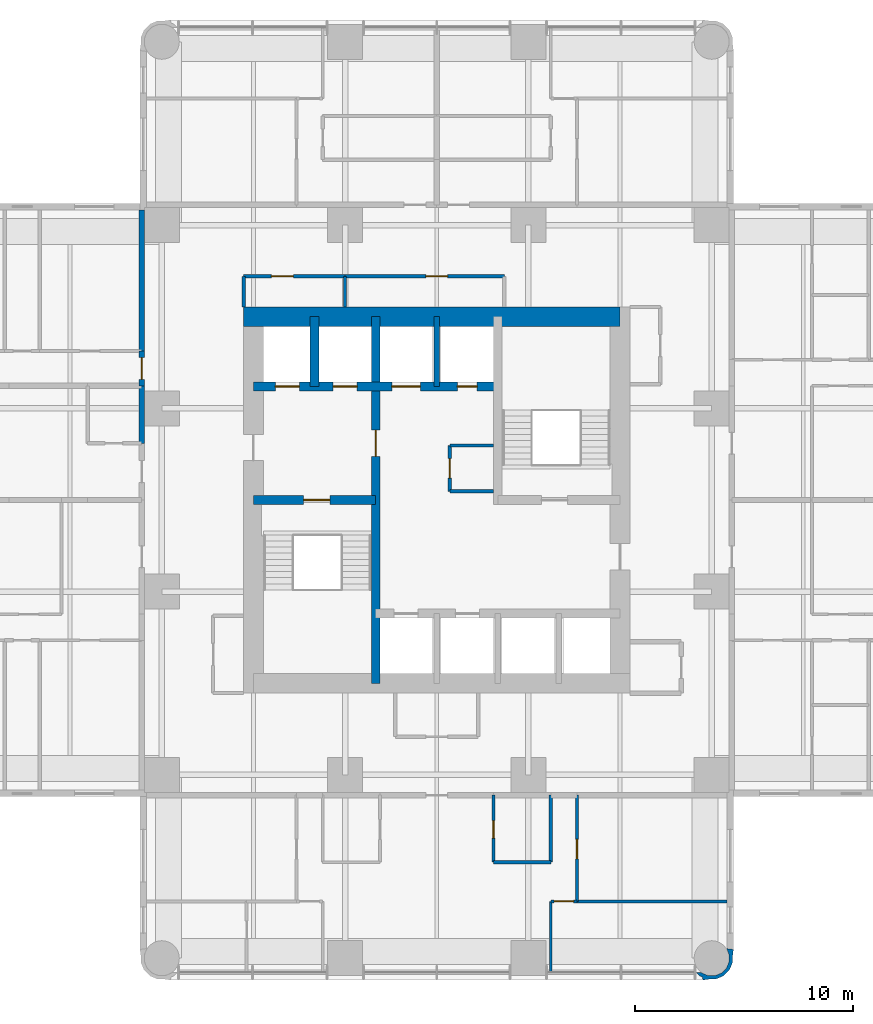
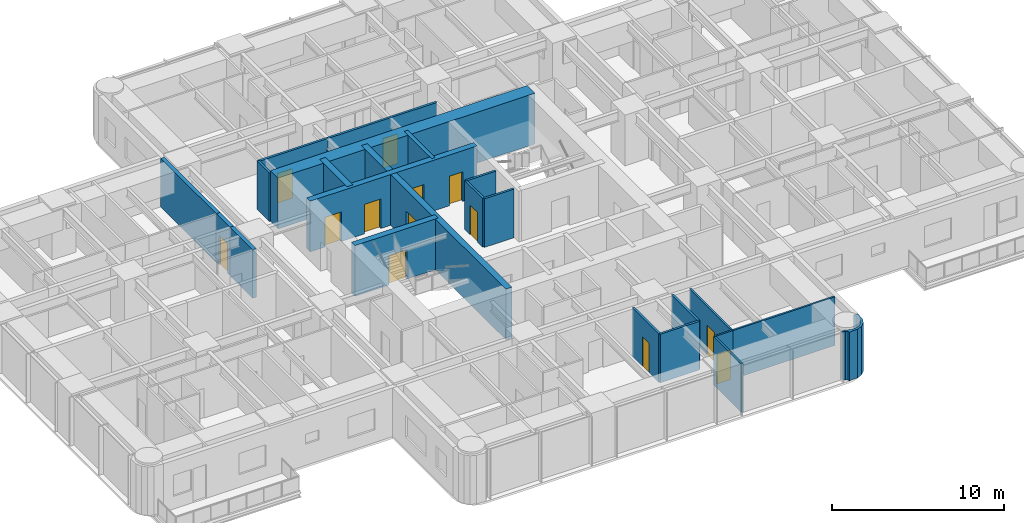
# One storey, part 8 of 15: 24 walls, 13 doors, 13 openings.
"""IFC4 building model written with IfcOpenShell, lengths in metres."""

from ifc_helpers import new_model, si_unit, direction, frame, frame_2d, origin, place, context, subcontext, project, spatial, polyline, rectangle, outline, extrude, material, layer, layer_set, type_object, element, fill, save


model = new_model("IFC4")

# Units and contexts
model_context = context("Model", 3, precision=1e-05, world=origin(), true_north=direction((0.0, 1.0)))
body_context = subcontext(model_context, "Body", "Model", "MODEL_VIEW")
ifc_project = project(units=[si_unit("LENGTHUNIT", "METRE"), si_unit("AREAUNIT", "SQUARE_METRE"), si_unit("VOLUMEUNIT", "CUBIC_METRE"), si_unit("PLANEANGLEUNIT", "RADIAN"), si_unit("MASSUNIT", "GRAM", prefix="KILO")], contexts=[model_context])

# Site, building, storey
site_placement = place(None, origin())
site = spatial("IfcSite", under=ifc_project, at=site_placement, CompositionType="ELEMENT")
building_placement = place(site_placement, origin())
building = spatial("IfcBuilding", under=site, at=building_placement, Name="Torre Alcanfor", CompositionType="ELEMENT")
storey_placement = place(building_placement, frame((0.0, 0.0, 123.300048828125)))
storey = spatial("IfcBuildingStorey", under=building, at=storey_placement, Name="L31", CompositionType="ELEMENT", Elevation=123.300048828125)

# Wall
ifc_material_1 = material(Name="Concrete block masonry, hollow blocks NMX-C-404 9 MPa", Category="masonry")
ifc_layer_1 = layer(ifc_material_1, 0.25)
ifc_layer_set_1 = layer_set([ifc_layer_1], Name="Apartment entrance wall 250 EI 60")
wall_type_1 = type_object("IfcWallType", Name="Apartment entrance wall 250 EI 60", PredefinedType="PARTITIONING", material=ifc_layer_set_1)
wall_1_placement = place(storey_placement, frame((15.875, 32.0, 0.0), z_axis=(0.0, 0.0, 1.0), x_axis=(0.0, 1.0, 0.0)))
element("IfcWall", 1, at=wall_1_placement, inside=storey, type_object=wall_type_1, Name="Partition L31-CORR / L31-W2A-BATH", PredefinedType="PARTITIONING", context=body_context, shape_type="SweptSolid", body=[
    extrude(rectangle(XDim=2.62890625, YDim=0.25, at=frame_2d((1.314453125, 0.0))), origin(), (0.0, 0.0, 1.0), 3.449951171875),
])

# Wall, opening, door
wall_2_placement = place(storey_placement, frame((15.875, 34.62890625, 0.0), z_axis=(0.0, 0.0, 1.0), x_axis=(0.0, 1.0, 0.0)))
wall_2 = element("IfcWall", 2, at=wall_2_placement, inside=storey, type_object=wall_type_1, Name="Partition L31-CORR / L31-W2B-HALL", PredefinedType="PARTITIONING", context=body_context, shape_type="SweptSolid", body=[
    extrude(rectangle(XDim=1.60009765625, YDim=0.25, at=frame_2d((0.800048828125, 0.0))), origin(), (0.0, 0.0, 1.0), 3.449951171875),
])
opening_1_placement = place(wall_2_placement, frame((0.300048828125, 0.0, 0.0)))
opening_1 = element("IfcOpeningElement", 3, at=opening_1_placement, cuts=wall_2, Name="Opening D-A1", PredefinedType="OPENING", context=body_context, shape_type="SweptSolid", body=[
    extrude(rectangle(XDim=1.0, YDim=2.10009765625, at=frame_2d((0.5, 1.050048828125))), frame((0.0, 0.135009765625, 0.0), z_axis=(0.0, -1.0, 0.0), x_axis=(1.0, 0.0, 0.0)), (0.0, 0.0, 1.0), 0.27001953125),
])
ifc_material_2 = material(Name="Galvanised steel sheet ASTM A653", Category="steel")
door_type_1 = type_object("IfcDoorType", Name="Apartment entrance door FD60 1000x2100", OperationType="SINGLE_SWING_LEFT", PredefinedType="DOOR", material=ifc_material_2)
door_1_placement = place(opening_1_placement, origin())
door_1 = element("IfcDoor", 4, at=door_1_placement, inside=storey, type_object=door_type_1, Name="Apartment entrance L31-W2B", OperationType="SINGLE_SWING_LEFT", OverallHeight=2.10009765625, OverallWidth=1.0, PredefinedType="DOOR", context=body_context, shape_type="SweptSolid", body=[
    extrude(rectangle(XDim=1.0, YDim=2.10009765625, at=frame_2d((0.5, 1.050048828125))), frame((0.0, 0.02490234375, 0.0), z_axis=(0.0, -1.0, 0.0), x_axis=(1.0, 0.0, 0.0)), (0.0, 0.0, 1.0), 0.050048828125),
])
fill(opening_1, door_1)

# Wall
wall_3_placement = place(storey_placement, frame((15.875, 36.22900390625, 0.0), z_axis=(0.0, 0.0, 1.0), x_axis=(0.0, 1.0, 0.0)))
element("IfcWall", 5, at=wall_3_placement, inside=storey, type_object=wall_type_1, Name="Partition L31-CORR / L31-W2B-BED2", PredefinedType="PARTITIONING", context=body_context, shape_type="SweptSolid", body=[
    extrude(rectangle(XDim=6.470947265625, YDim=0.25, at=frame_2d((3.2353515625, 0.0))), origin(), (0.0, 0.0, 1.0), 3.449951171875),
])

# Wall, opening, door
ifc_material_3 = material(Name="Gypsum board on steel studs", Category="steel")
ifc_layer_2 = layer(ifc_material_3, 0.1201171875)
ifc_layer_set_2 = layer_set([ifc_layer_2], Name="Apartment partition 120")
wall_type_2 = type_object("IfcWallType", Name="Apartment partition 120", PredefinedType="PARTITIONING", material=ifc_layer_set_2)
wall_4_placement = place(storey_placement, frame((35.8291015625, 15.875, 0.0), z_axis=(0.0, 0.0, 1.0), x_axis=(0.0, -1.0, 0.0)))
wall_4 = element("IfcWall", 6, at=wall_4_placement, inside=storey, type_object=wall_type_2, Name="Partition L31-SX-LIVING / L31-SX-BED2", PredefinedType="PARTITIONING", context=body_context, shape_type="SweptSolid", body=[
    extrude(rectangle(XDim=4.875, YDim=0.1201171875, at=frame_2d((2.4375, 0.0))), origin(), (0.0, 0.0, 1.0), 3.449951171875),
])
opening_2_placement = place(wall_4_placement, frame((2.02490234375, 0.0, 0.0)))
opening_2 = element("IfcOpeningElement", 7, at=opening_2_placement, cuts=wall_4, Name="Opening D-R1", PredefinedType="OPENING", context=body_context, shape_type="SweptSolid", body=[
    extrude(rectangle(XDim=0.89990234375, YDim=2.10009765625, at=frame_2d((0.449951171875, 1.050048828125))), frame((0.0, 0.070068359375, 0.0), z_axis=(0.0, -1.0, 0.0), x_axis=(1.0, 0.0, 0.0)), (0.0, 0.0, 1.0), 0.14013671875),
])
ifc_material_4 = material(Name="Timber", Category="wood")
door_type_2 = type_object("IfcDoorType", Name="Internal door 900x2100", OperationType="SINGLE_SWING_LEFT", PredefinedType="DOOR", material=ifc_material_4)
door_2_placement = place(opening_2_placement, origin())
door_2 = element("IfcDoor", 8, at=door_2_placement, inside=storey, type_object=door_type_2, Name="Door L31-SX bed2", OperationType="SINGLE_SWING_RIGHT", OverallHeight=2.10009765625, OverallWidth=0.89990234375, PredefinedType="DOOR", context=body_context, shape_type="SweptSolid", body=[
    extrude(rectangle(XDim=0.89990234375, YDim=2.10009765625, at=frame_2d((0.449951171875, 1.050048828125))), frame((0.0, 0.02490234375, 0.0), z_axis=(0.0, -1.0, 0.0), x_axis=(1.0, 0.0, 0.0)), (0.0, 0.0, 1.0), 0.050048828125),
])
fill(opening_2, door_2)

wall_5_placement = place(storey_placement, frame((35.8291015625, 11.0, 0.0), z_axis=(0.0, 0.0, 1.0), x_axis=(-1.0, 0.0, 0.0)))
wall_5 = element("IfcWall", 9, at=wall_5_placement, inside=storey, type_object=wall_type_2, Name="Partition L31-SX-LIVING / L31-SX-MASTER", PredefinedType="PARTITIONING", context=body_context, shape_type="SweptSolid", body=[
    extrude(rectangle(XDim=1.2001953125, YDim=0.1201171875, at=frame_2d((0.60009765625, 0.0))), origin(), (0.0, 0.0, 1.0), 3.449951171875),
])
opening_3_placement = place(wall_5_placement, frame((0.14892578125, 0.0, 0.0)))
opening_3 = element("IfcOpeningElement", 10, at=opening_3_placement, cuts=wall_5, Name="Opening D-R1", PredefinedType="OPENING", context=body_context, shape_type="SweptSolid", body=[
    extrude(rectangle(XDim=0.89990234375, YDim=2.10009765625, at=frame_2d((0.449951171875, 1.050048828125))), frame((0.0, 0.070068359375, 0.0), z_axis=(0.0, -1.0, 0.0), x_axis=(1.0, 0.0, 0.0)), (0.0, 0.0, 1.0), 0.14013671875),
])
door_3_placement = place(opening_3_placement, origin())
door_3 = element("IfcDoor", 11, at=door_3_placement, inside=storey, type_object=door_type_2, Name="Door L31-SX master", OperationType="SINGLE_SWING_RIGHT", OverallHeight=2.10009765625, OverallWidth=0.89990234375, PredefinedType="DOOR", context=body_context, shape_type="SweptSolid", body=[
    extrude(rectangle(XDim=0.89990234375, YDim=2.10009765625, at=frame_2d((0.449951171875, 1.050048828125))), frame((0.0, 0.02490234375, 0.0), z_axis=(0.0, -1.0, 0.0), x_axis=(1.0, 0.0, 0.0)), (0.0, 0.0, 1.0), 0.050048828125),
])
fill(opening_3, door_3)

# Walls
wall_6_placement = place(storey_placement, frame((34.62890625, 11.0, 0.0), z_axis=(0.0, 0.0, 1.0), x_axis=(0.0, -1.0, 0.0)))
element("IfcWall", 12, at=wall_6_placement, inside=storey, type_object=wall_type_2, Name="Partition L31-SX-LIVING / L31-SX-MASTER", PredefinedType="PARTITIONING", context=body_context, shape_type="SweptSolid", body=[
    extrude(rectangle(XDim=3.25, YDim=0.1201171875, at=frame_2d((1.625, 0.0))), origin(), (0.0, 0.0, 1.0), 3.449951171875),
])
wall_7_placement = place(storey_placement, frame((35.8291015625, 11.0, 0.0), z_axis=(0.0, 0.0, 1.0), x_axis=(1.0, 0.0, 0.0)))
element("IfcWall", 13, at=wall_7_placement, inside=storey, type_object=wall_type_2, Name="Partition L31-SX-BED2 / L31-SX-MASTER", PredefinedType="PARTITIONING", context=body_context, shape_type="SweptSolid", body=[
    extrude(rectangle(XDim=6.870849609375, YDim=0.1201171875, at=frame_2d((3.435546875, 0.0))), origin(), (0.0, 0.0, 1.0), 3.449951171875),
])

# Wall, opening, door
ifc_material_5 = material(Name="Concrete f'c 70 MPa", Category="concrete")
ifc_layer_3 = layer(ifc_material_5, 0.39990234375)
ifc_layer_set_3 = layer_set([ifc_layer_3], Name="Core inner wall 400 f'c70")
wall_type_3 = type_object("IfcWallType", Name="Core inner wall 400 f'c70", PredefinedType="SHEAR", material=ifc_layer_set_3)
wall_8_placement = place(storey_placement, frame((26.60009765625, 21.0, 0.0), z_axis=(0.0, 0.0, 1.0), x_axis=(0.0, 1.0, 0.0)))
wall_8 = element("IfcWall", 14, at=wall_8_placement, inside=storey, type_object=wall_type_3, Name="Core wall X266 L31", PredefinedType="SHEAR", context=body_context, shape_type="SweptSolid", body=[
    extrude(rectangle(XDim=16.800048828125, YDim=0.39990234375, at=frame_2d((8.39990234375, 0.0))), origin(), (0.0, 0.0, 1.0), 3.599853515625),
])
opening_4_placement = place(wall_8_placement, frame((10.39990234375, 0.0, 0.0)))
opening_4 = element("IfcOpeningElement", 15, at=opening_4_placement, cuts=wall_8, Name="Opening D-L1", PredefinedType="OPENING", context=body_context, shape_type="SweptSolid", body=[
    extrude(rectangle(XDim=1.199951171875, YDim=2.10009765625, at=frame_2d((0.60009765625, 1.050048828125))), frame((0.0, 0.2099609375, 0.0), z_axis=(0.0, -1.0, 0.0), x_axis=(1.0, 0.0, 0.0)), (0.0, 0.0, 1.0), 0.419921875),
])
ifc_material_6 = material(Name="Galvanised steel sheet ASTM A653", Category="steel")
door_type_3 = type_object("IfcDoorType", Name="Lobby door FD120 1200x2100", OperationType="SINGLE_SWING_LEFT", PredefinedType="DOOR", material=ifc_material_6)
door_4_placement = place(opening_4_placement, origin())
door_4 = element("IfcDoor", 16, at=door_4_placement, inside=storey, type_object=door_type_3, Name="Lift lobby door L31", OperationType="SINGLE_SWING_LEFT", OverallHeight=2.10009765625, OverallWidth=1.199951171875, PredefinedType="DOOR", context=body_context, shape_type="SweptSolid", body=[
    extrude(rectangle(XDim=1.199951171875, YDim=2.10009765625, at=frame_2d((0.60009765625, 1.050048828125))), frame((0.0, 0.02490234375, 0.0), z_axis=(0.0, -1.0, 0.0), x_axis=(1.0, 0.0, 0.0)), (0.0, 0.0, 1.0), 0.050048828125),
])
fill(opening_4, door_4)

wall_9_placement = place(storey_placement, frame((21.0, 29.39990234375, 0.0), z_axis=(0.0, 0.0, 1.0), x_axis=(1.0, 0.0, 0.0)))
wall_9 = element("IfcWall", 17, at=wall_9_placement, inside=storey, type_object=wall_type_3, Name="Core wall Y294W L31", PredefinedType="SHEAR", context=body_context, shape_type="SweptSolid", body=[
    extrude(rectangle(XDim=5.60009765625, YDim=0.39990234375, at=frame_2d((2.800048828125, 0.0))), origin(), (0.0, 0.0, 1.0), 3.599853515625),
])
opening_5_placement = place(wall_9_placement, frame((2.300048828125, 0.0, 0.0)))
opening_5 = element("IfcOpeningElement", 18, at=opening_5_placement, cuts=wall_9, Name="Opening D-S2", PredefinedType="OPENING", context=body_context, shape_type="SweptSolid", body=[
    extrude(rectangle(XDim=1.199951171875, YDim=2.10009765625, at=frame_2d((0.60009765625, 1.050048828125))), frame((0.0, 0.2099609375, 0.0), z_axis=(0.0, -1.0, 0.0), x_axis=(1.0, 0.0, 0.0)), (0.0, 0.0, 1.0), 0.419921875),
])
ifc_material_7 = material(Name="Galvanised steel sheet ASTM A653", Category="steel")
door_type_4 = type_object("IfcDoorType", Name="Stair enclosure door FD120 1200x2100", OperationType="SINGLE_SWING_LEFT", PredefinedType="DOOR", material=ifc_material_7)
door_5_placement = place(opening_5_placement, frame((1.199951171875, 0.0, 0.0), z_axis=(0.0, 0.0, 1.0), x_axis=(-1.0, 0.0, 0.0)))
door_5 = element("IfcDoor", 19, at=door_5_placement, inside=storey, type_object=door_type_4, Name="Stair S1 door L31", OperationType="SINGLE_SWING_LEFT", OverallHeight=2.10009765625, OverallWidth=1.199951171875, PredefinedType="DOOR", context=body_context, shape_type="SweptSolid", body=[
    extrude(rectangle(XDim=1.199951171875, YDim=2.10009765625, at=frame_2d((0.599853515625, 1.050048828125))), frame((0.0, 0.025146484375, 0.0), z_axis=(0.0, -1.0, 0.0), x_axis=(1.0, 0.0, 0.0)), (0.0, 0.0, 1.0), 0.050048828125),
])
fill(opening_5, door_5)

# Wall, openings, doors
wall_10_placement = place(storey_placement, frame((21.0, 34.60009765625, 0.0), z_axis=(0.0, 0.0, 1.0), x_axis=(1.0, 0.0, 0.0)))
wall_10 = element("IfcWall", 20, at=wall_10_placement, inside=storey, type_object=wall_type_3, Name="Core wall Y346 L31", PredefinedType="SHEAR", context=body_context, shape_type="SweptSolid", body=[
    extrude(rectangle(XDim=11.199951171875, YDim=0.39990234375, at=frame_2d((5.60009765625, 0.0))), origin(), (0.0, 0.0, 1.0), 3.599853515625),
])
opening_6_placement = place(wall_10_placement, frame((9.35009765625, 0.0, 0.0)))
opening_6 = element("IfcOpeningElement", 21, at=opening_6_placement, cuts=wall_10, Name="Opening D-Q1", PredefinedType="OPENING", context=body_context, shape_type="SweptSolid", body=[
    extrude(rectangle(XDim=0.89990234375, YDim=2.10009765625, at=frame_2d((0.449951171875, 1.050048828125))), frame((0.0, 0.2099609375, 0.0), z_axis=(0.0, -1.0, 0.0), x_axis=(1.0, 0.0, 0.0)), (0.0, 0.0, 1.0), 0.419921875),
])
opening_7_placement = place(wall_10_placement, frame((1.0, 0.0, 0.0)))
opening_7 = element("IfcOpeningElement", 22, at=opening_7_placement, cuts=wall_10, Name="Opening LD2", PredefinedType="OPENING", context=body_context, shape_type="SweptSolid", body=[
    extrude(rectangle(XDim=1.10009765625, YDim=2.10009765625, at=frame_2d((0.550048828125, 1.050048828125))), frame((0.0, 0.2099609375, 0.0), z_axis=(0.0, -1.0, 0.0), x_axis=(1.0, 0.0, 0.0)), (0.0, 0.0, 1.0), 0.419921875),
])
opening_8_placement = place(wall_10_placement, frame((3.64990234375, 0.0, 0.0)))
opening_8 = element("IfcOpeningElement", 23, at=opening_8_placement, cuts=wall_10, Name="Opening LD2", PredefinedType="OPENING", context=body_context, shape_type="SweptSolid", body=[
    extrude(rectangle(XDim=1.10009765625, YDim=2.10009765625, at=frame_2d((0.550048828125, 1.050048828125))), frame((0.0, 0.2099609375, 0.0), z_axis=(0.0, -1.0, 0.0), x_axis=(1.0, 0.0, 0.0)), (0.0, 0.0, 1.0), 0.419921875),
])
opening_9_placement = place(wall_10_placement, frame((6.35009765625, 0.0, 0.0)))
opening_9 = element("IfcOpeningElement", 24, at=opening_9_placement, cuts=wall_10, Name="Opening LD3", PredefinedType="OPENING", context=body_context, shape_type="SweptSolid", body=[
    extrude(rectangle(XDim=1.300048828125, YDim=2.10009765625, at=frame_2d((0.64990234375, 1.050048828125))), frame((0.0, 0.2099609375, 0.0), z_axis=(0.0, -1.0, 0.0), x_axis=(1.0, 0.0, 0.0)), (0.0, 0.0, 1.0), 0.419921875),
])
ifc_material_8 = material(Name="Galvanised steel sheet ASTM A653", Category="steel")
door_type_5 = type_object("IfcDoorType", Name="Firefighting lift landing door 1100x2100", OperationType="DOUBLE_DOOR_SLIDING", PredefinedType="DOOR", material=ifc_material_8)
door_6_placement = place(opening_7_placement, origin())
door_6 = element("IfcDoor", 25, at=door_6_placement, inside=storey, type_object=door_type_5, Name="Lift landing door FL1 L31", OperationType="DOUBLE_DOOR_SLIDING", OverallHeight=2.10009765625, OverallWidth=1.10009765625, PredefinedType="DOOR", context=body_context, shape_type="SweptSolid", body=[
    extrude(rectangle(XDim=1.10009765625, YDim=2.10009765625, at=frame_2d((0.550048828125, 1.050048828125))), frame((0.0, 0.02490234375, 0.0), z_axis=(0.0, -1.0, 0.0), x_axis=(1.0, 0.0, 0.0)), (0.0, 0.0, 1.0), 0.050048828125),
])
fill(opening_7, door_6)
door_7_placement = place(opening_8_placement, origin())
door_7 = element("IfcDoor", 26, at=door_7_placement, inside=storey, type_object=door_type_5, Name="Lift landing door FL2 L31", OperationType="DOUBLE_DOOR_SLIDING", OverallHeight=2.10009765625, OverallWidth=1.10009765625, PredefinedType="DOOR", context=body_context, shape_type="SweptSolid", body=[
    extrude(rectangle(XDim=1.10009765625, YDim=2.10009765625, at=frame_2d((0.550048828125, 1.050048828125))), frame((0.0, 0.02490234375, 0.0), z_axis=(0.0, -1.0, 0.0), x_axis=(1.0, 0.0, 0.0)), (0.0, 0.0, 1.0), 0.050048828125),
])
fill(opening_8, door_7)
ifc_material_9 = material(Name="Galvanised steel sheet ASTM A653", Category="steel")
door_type_6 = type_object("IfcDoorType", Name="Riser access door FD120 900x2100", OperationType="SINGLE_SWING_LEFT", PredefinedType="DOOR", material=ifc_material_9)
door_8_placement = place(opening_6_placement, origin())
door_8 = element("IfcDoor", 27, at=door_8_placement, inside=storey, type_object=door_type_6, Name="Riser door L31", OperationType="SINGLE_SWING_LEFT", OverallHeight=2.10009765625, OverallWidth=0.89990234375, PredefinedType="DOOR", context=body_context, shape_type="SweptSolid", body=[
    extrude(rectangle(XDim=0.89990234375, YDim=2.10009765625, at=frame_2d((0.449951171875, 1.050048828125))), frame((0.0, 0.02490234375, 0.0), z_axis=(0.0, -1.0, 0.0), x_axis=(1.0, 0.0, 0.0)), (0.0, 0.0, 1.0), 0.050048828125),
])
fill(opening_6, door_8)
ifc_material_10 = material(Name="Galvanised steel sheet ASTM A653", Category="steel")
door_type_7 = type_object("IfcDoorType", Name="Service lift landing door 1300x2100", OperationType="DOUBLE_DOOR_SLIDING", PredefinedType="DOOR", material=ifc_material_10)
door_9_placement = place(opening_9_placement, origin())
door_9 = element("IfcDoor", 28, at=door_9_placement, inside=storey, type_object=door_type_7, Name="Lift landing door SL1 L31", OperationType="DOUBLE_DOOR_SLIDING", OverallHeight=2.10009765625, OverallWidth=1.300048828125, PredefinedType="DOOR", context=body_context, shape_type="SweptSolid", body=[
    extrude(rectangle(XDim=1.300048828125, YDim=2.10009765625, at=frame_2d((0.64990234375, 1.050048828125))), frame((0.0, 0.02490234375, 0.0), z_axis=(0.0, -1.0, 0.0), x_axis=(1.0, 0.0, 0.0)), (0.0, 0.0, 1.0), 0.050048828125),
])
fill(opening_9, door_9)

# Walls
wall_11_placement = place(storey_placement, frame((23.800048828125, 34.60009765625, 0.0), z_axis=(0.0, 0.0, 1.0), x_axis=(0.0, 1.0, 0.0)))
element("IfcWall", 29, at=wall_11_placement, inside=storey, type_object=wall_type_3, Name="Core wall X238 L31", PredefinedType="SHEAR", context=body_context, shape_type="SweptSolid", body=[
    extrude(rectangle(XDim=3.199951171875, YDim=0.39990234375, at=frame_2d((1.60009765625, 0.0))), origin(), (0.0, 0.0, 1.0), 3.599853515625),
])
ifc_material_11 = material(Name="Concrete f'c 70 MPa", Category="concrete")
ifc_layer_4 = layer(ifc_material_11, 0.25)
ifc_layer_set_4 = layer_set([ifc_layer_4], Name="Core shaft wall 250 f'c70")
wall_type_4 = type_object("IfcWallType", Name="Core shaft wall 250 f'c70", PredefinedType="SHEAR", material=ifc_layer_set_4)
wall_12_placement = place(storey_placement, frame((29.39990234375, 34.60009765625, 0.0), z_axis=(0.0, 0.0, 1.0), x_axis=(0.0, 1.0, 0.0)))
element("IfcWall", 30, at=wall_12_placement, inside=storey, type_object=wall_type_4, Name="Core wall X294N L31", PredefinedType="SHEAR", context=body_context, shape_type="SweptSolid", body=[
    extrude(rectangle(XDim=3.199951171875, YDim=0.25, at=frame_2d((1.60009765625, 0.0))), origin(), (0.0, 0.0, 1.0), 3.599853515625),
])
ifc_material_12 = material(Name="Concrete f'c 70 MPa", Category="concrete")
ifc_layer_5 = layer(ifc_material_12, 0.89990234375)
ifc_layer_set_5 = layer_set([ifc_layer_5], Name="Core wall 900 f'c70")
wall_type_5 = type_object("IfcWallType", Name="Core wall 900 f'c70", PredefinedType="SHEAR", material=ifc_layer_set_5)
wall_13_placement = place(storey_placement, frame((37.800048828125, 37.800048828125, 0.0), z_axis=(0.0, 0.0, 1.0), x_axis=(-1.0, 0.0, 0.0)))
element("IfcWall", 31, at=wall_13_placement, inside=storey, type_object=wall_type_5, Name="Core wall OUT-N L31", PredefinedType="SHEAR", context=body_context, shape_type="SweptSolid", body=[
    extrude(rectangle(XDim=17.25, YDim=0.89990234375, at=frame_2d((8.625, 0.0))), origin(), (0.0, 0.0, 1.0), 3.599853515625),
])

# Wall, opening, door
ifc_material_13 = material(Name="Concrete block masonry, hollow blocks NMX-C-404 9 MPa", Category="masonry")
ifc_layer_6 = layer(ifc_material_13, 0.14990234375)
ifc_layer_set_6 = layer_set([ifc_layer_6], Name="Residents' room partition 150")
wall_type_6 = type_object("IfcWallType", Name="Residents' room partition 150", PredefinedType="PARTITIONING", material=ifc_layer_set_6)
wall_14_placement = place(storey_placement, frame((25.199951171875, 39.64990234375, 0.0), z_axis=(0.0, 0.0, 1.0), x_axis=(-1.0, 0.0, 0.0)))
wall_14 = element("IfcWall", 32, at=wall_14_placement, inside=storey, type_object=wall_type_6, Name="Partition L31-CORR / L31-G01", PredefinedType="PARTITIONING", context=body_context, shape_type="SweptSolid", body=[
    extrude(rectangle(XDim=4.64990234375, YDim=0.14990234375, at=frame_2d((2.324951171875, 0.0))), origin(), (0.0, 0.0, 1.0), 3.449951171875),
])
opening_10_placement = place(wall_14_placement, frame((2.375, 0.0, 0.0)))
opening_10 = element("IfcOpeningElement", 33, at=opening_10_placement, cuts=wall_14, Name="Opening D-M1", PredefinedType="OPENING", context=body_context, shape_type="SweptSolid", body=[
    extrude(rectangle(XDim=1.0, YDim=2.10009765625, at=frame_2d((0.5, 1.050048828125))), frame((0.0, 0.0849609375, 0.0), z_axis=(0.0, -1.0, 0.0), x_axis=(1.0, 0.0, 0.0)), (0.0, 0.0, 1.0), 0.169921875),
])
ifc_material_14 = material(Name="Timber", Category="wood")
door_type_8 = type_object("IfcDoorType", Name="Residents' room door 1000x2100", OperationType="SINGLE_SWING_LEFT", PredefinedType="DOOR", material=ifc_material_14)
door_10_placement = place(opening_10_placement, origin())
door_10 = element("IfcDoor", 34, at=door_10_placement, inside=storey, type_object=door_type_8, Name="Door L31-G01 residents' storage lockers", OperationType="SINGLE_SWING_RIGHT", OverallHeight=2.10009765625, OverallWidth=1.0, PredefinedType="DOOR", context=body_context, shape_type="SweptSolid", body=[
    extrude(rectangle(XDim=1.0, YDim=2.10009765625, at=frame_2d((0.5, 1.050048828125))), frame((0.0, 0.02490234375, 0.0), z_axis=(0.0, -1.0, 0.0), x_axis=(1.0, 0.0, 0.0)), (0.0, 0.0, 1.0), 0.050048828125),
])
fill(opening_10, door_10)

# Wall
wall_15_placement = place(storey_placement, frame((20.550048828125, 39.64990234375, 0.0), z_axis=(0.0, 0.0, 1.0), x_axis=(0.0, -1.0, 0.0)))
element("IfcWall", 35, at=wall_15_placement, inside=storey, type_object=wall_type_6, Name="Partition L31-CORR / L31-G01", PredefinedType="PARTITIONING", context=body_context, shape_type="SweptSolid", body=[
    extrude(rectangle(XDim=1.39990234375, YDim=0.14990234375, at=frame_2d((0.699951171875, 0.0))), origin(), (0.0, 0.0, 1.0), 3.449951171875),
])

# Wall, opening, door
wall_16_placement = place(storey_placement, frame((32.5, 39.64990234375, 0.0), z_axis=(0.0, 0.0, 1.0), x_axis=(-1.0, 0.0, 0.0)))
wall_16 = element("IfcWall", 36, at=wall_16_placement, inside=storey, type_object=wall_type_6, Name="Partition L31-CORR / L31-G02", PredefinedType="PARTITIONING", context=body_context, shape_type="SweptSolid", body=[
    extrude(rectangle(XDim=7.300048828125, YDim=0.14990234375, at=frame_2d((3.64990234375, 0.0))), origin(), (0.0, 0.0, 1.0), 3.449951171875),
])
opening_11_placement = place(wall_16_placement, frame((2.60009765625, 0.0, 0.0)))
opening_11 = element("IfcOpeningElement", 37, at=opening_11_placement, cuts=wall_16, Name="Opening D-M1", PredefinedType="OPENING", context=body_context, shape_type="SweptSolid", body=[
    extrude(rectangle(XDim=1.0, YDim=2.10009765625, at=frame_2d((0.5, 1.050048828125))), frame((0.0, 0.0849609375, 0.0), z_axis=(0.0, -1.0, 0.0), x_axis=(1.0, 0.0, 0.0)), (0.0, 0.0, 1.0), 0.169921875),
])
door_11_placement = place(opening_11_placement, origin())
door_11 = element("IfcDoor", 38, at=door_11_placement, inside=storey, type_object=door_type_8, Name="Door L31-G02 residents' study room", OperationType="SINGLE_SWING_LEFT", OverallHeight=2.10009765625, OverallWidth=1.0, PredefinedType="DOOR", context=body_context, shape_type="SweptSolid", body=[
    extrude(rectangle(XDim=1.0, YDim=2.10009765625, at=frame_2d((0.5, 1.050048828125))), frame((0.0, 0.02490234375, 0.0), z_axis=(0.0, -1.0, 0.0), x_axis=(1.0, 0.0, 0.0)), (0.0, 0.0, 1.0), 0.050048828125),
])
fill(opening_11, door_11)

# Walls
wall_17_placement = place(storey_placement, frame((25.199951171875, 38.25, 0.0), z_axis=(0.0, 0.0, 1.0), x_axis=(0.0, 1.0, 0.0)))
element("IfcWall", 39, at=wall_17_placement, inside=storey, type_object=wall_type_6, Name="Partition L31-G01 / L31-G02", PredefinedType="PARTITIONING", context=body_context, shape_type="SweptSolid", body=[
    extrude(rectangle(XDim=1.39990234375, YDim=0.14990234375, at=frame_2d((0.699951171875, 0.0))), origin(), (0.0, 0.0, 1.0), 2.7666015625),
])
ifc_material_15 = material(Name="Limestone cladding", Category="masonry")
ifc_layer_7 = layer(ifc_material_15, 0.0400390625, Name="Facing")
ifc_material_16 = material(Name="Ventilated air cavity")
ifc_layer_8 = layer(ifc_material_16, 0.02001953125, ventilated=True, Name="Ventilated joint")
ifc_material_17 = material(Name="Mineral wool insulation", Category="insulation")
ifc_layer_9 = layer(ifc_material_17, 0.10009765625, Name="Insulation")
ifc_material_18 = material(Name="Concrete f'c 35 MPa", Category="concrete")
ifc_layer_10 = layer(ifc_material_18, 0.139892578125, Name="Backing")
ifc_layer_set_7 = layer_set([ifc_layer_7, ifc_layer_8, ifc_layer_9, ifc_layer_10], Name="Rounded corner pier stone-clad 300")
wall_type_7 = type_object("IfcWallType", Name="Rounded corner pier stone-clad 300", PredefinedType="SOLIDWALL", material=ifc_layer_set_7)
wall_18_placement = place(storey_placement, frame((41.351928198, 7.804682488, 0.0), z_axis=(0.0, 0.0, 1.0), x_axis=(0.343276641956, -0.93923434088, 0.0)))
element("IfcWall", 40, at=wall_18_placement, inside=storey, type_object=wall_type_7, Name="Corner pier L31 16", PredefinedType="SOLIDWALL", context=body_context, shape_type="SweptSolid", body=[
    extrude(outline(polyline([(-0.3691376945080963, 1.8896116474277462), (-0.5092849006082865, 1.6213723434863179), (-0.4904818693699753, 1.614500106025285), (-0.47937395557818696, 1.6086207727425919), (-0.21134604487110653, 1.620093396259431), (0.08789731812884549, 1.5107242513003132), (0.3226193813038204, 1.29522875171589), (0.4568297522668325, 1.0059961170728082), (0.47018090116819644, 0.6876338955306306), (0.3608955639829935, 0.3886198377896824), (0.14540006439857034, 0.15389777461470747), (0.10805580570731482, 0.136354268630141), (0.030952653705484567, -0.07460656965335008), (0.24105149879401783, 0.023022242841209073), (0.33345144333490195, 0.12363819812835387), (0.46537419024986754, 0.09413770889727405), (0.5320249985235461, 0.39313792602006), (0.6305829406476248, 0.6628009106085226), (0.6143313238115743, 1.0443478664441104), (0.4534111053034037, 1.390650880852334), (0.17226586261802523, 1.6491069643028293), (-0.09739712197043726, 1.7476649064269079), (-0.3691376945080963, 1.8896116474277462)])), origin(), (0.0, 0.0, 1.0), 3.449951171875),
])

# Wall, opening, door
ifc_material_19 = material(Name="Cement board on steel studs", Category="steel")
ifc_layer_11 = layer(ifc_material_19, 0.14990234375)
ifc_layer_set_8 = layer_set([ifc_layer_11], Name="Wet area partition 150")
wall_type_8 = type_object("IfcWallType", Name="Wet area partition 150", PredefinedType="PARTITIONING", material=ifc_layer_set_8)
wall_19_placement = place(storey_placement, frame((32.0, 12.800048828125, 0.0), z_axis=(0.0, 0.0, 1.0), x_axis=(0.0, 1.0, 0.0)))
wall_19 = element("IfcWall", 41, at=wall_19_placement, inside=storey, type_object=wall_type_8, Name="Partition L31-SX-ZAG / L31-SX-BATH2", PredefinedType="PARTITIONING", context=body_context, shape_type="SweptSolid", body=[
    extrude(rectangle(XDim=3.074951171875, YDim=0.14990234375, at=frame_2d((1.53759765625, 0.0))), origin(), (0.0, 0.0, 1.0), 3.449951171875),
])
opening_12_placement = place(wall_19_placement, frame((1.10009765625, 0.0, 0.0)))
opening_12 = element("IfcOpeningElement", 42, at=opening_12_placement, cuts=wall_19, Name="Opening D-R2", PredefinedType="OPENING", context=body_context, shape_type="SweptSolid", body=[
    extrude(rectangle(XDim=0.800048828125, YDim=2.10009765625, at=frame_2d((0.39990234375, 1.050048828125))), frame((0.0, 0.0849609375, 0.0), z_axis=(0.0, -1.0, 0.0), x_axis=(1.0, 0.0, 0.0)), (0.0, 0.0, 1.0), 0.169921875),
])
ifc_material_20 = material(Name="Timber", Category="wood")
door_type_9 = type_object("IfcDoorType", Name="Bathroom door 800x2100", OperationType="SINGLE_SWING_LEFT", PredefinedType="DOOR", material=ifc_material_20)
door_12_placement = place(opening_12_placement, frame((0.800048828125, 0.0, 0.0), z_axis=(0.0, 0.0, 1.0), x_axis=(-1.0, 0.0, 0.0)))
door_12 = element("IfcDoor", 43, at=door_12_placement, inside=storey, type_object=door_type_9, Name="Door L31-SX bath2", OperationType="SINGLE_SWING_RIGHT", OverallHeight=2.10009765625, OverallWidth=0.800048828125, PredefinedType="DOOR", context=body_context, shape_type="SweptSolid", body=[
    extrude(rectangle(XDim=0.800048828125, YDim=2.10009765625, at=frame_2d((0.400146484375, 1.050048828125))), frame((0.0, 0.025146484375, 0.0), z_axis=(0.0, -1.0, 0.0), x_axis=(1.0, 0.0, 0.0)), (0.0, 0.0, 1.0), 0.050048828125),
])
fill(opening_12, door_12)

# Walls
wall_20_placement = place(storey_placement, frame((32.0, 12.800048828125, 0.0), z_axis=(0.0, 0.0, 1.0), x_axis=(1.0, 0.0, 0.0)))
element("IfcWall", 44, at=wall_20_placement, inside=storey, type_object=wall_type_8, Name="Partition L31-SX-BATH2 / L31-SX-LIVING", PredefinedType="PARTITIONING", context=body_context, shape_type="SweptSolid", body=[
    extrude(rectangle(XDim=2.62890625, YDim=0.14990234375, at=frame_2d((1.314453125, 0.0))), origin(), (0.0, 0.0, 1.0), 3.449951171875),
])
wall_21_placement = place(storey_placement, frame((34.62890625, 12.800048828125, 0.0), z_axis=(0.0, 0.0, 1.0), x_axis=(0.0, 1.0, 0.0)))
element("IfcWall", 45, at=wall_21_placement, inside=storey, type_object=wall_type_8, Name="Partition L31-SX-BATH2 / L31-SX-LIVING", PredefinedType="PARTITIONING", context=body_context, shape_type="SweptSolid", body=[
    extrude(rectangle(XDim=3.074951171875, YDim=0.14990234375, at=frame_2d((1.53759765625, 0.0))), origin(), (0.0, 0.0, 1.0), 3.449951171875),
])
wall_22_placement = place(storey_placement, frame((32.0, 29.800048828125, 0.0), z_axis=(0.0, 0.0, 1.0), x_axis=(-1.0, 0.0, 0.0)))
element("IfcWall", 46, at=wall_22_placement, inside=storey, type_object=wall_type_8, Name="Partition L31-LL / L31-CR1", PredefinedType="PARTITIONING", context=body_context, shape_type="SweptSolid", body=[
    extrude(rectangle(XDim=2.0, YDim=0.14990234375, at=frame_2d((1.0, 0.0))), origin(), (0.0, 0.0, 1.0), 3.449951171875),
])

# Wall, opening, door
wall_23_placement = place(storey_placement, frame((30.0, 29.800048828125, 0.0), z_axis=(0.0, 0.0, 1.0), x_axis=(0.0, 1.0, 0.0)))
wall_23 = element("IfcWall", 47, at=wall_23_placement, inside=storey, type_object=wall_type_8, Name="Partition L31-LL / L31-CR1", PredefinedType="PARTITIONING", context=body_context, shape_type="SweptSolid", body=[
    extrude(rectangle(XDim=2.099853515625, YDim=0.14990234375, at=frame_2d((1.0498046875, 0.0))), origin(), (0.0, 0.0, 1.0), 3.449951171875),
])
opening_13_placement = place(wall_23_placement, frame((0.60009765625, 0.0, 0.0)))
opening_13 = element("IfcOpeningElement", 48, at=opening_13_placement, cuts=wall_23, Name="Opening D-W1", PredefinedType="OPENING", context=body_context, shape_type="SweptSolid", body=[
    extrude(rectangle(XDim=0.89990234375, YDim=2.10009765625, at=frame_2d((0.449951171875, 1.050048828125))), frame((0.0, 0.0849609375, 0.0), z_axis=(0.0, -1.0, 0.0), x_axis=(1.0, 0.0, 0.0)), (0.0, 0.0, 1.0), 0.169921875),
])
ifc_material_21 = material(Name="Timber", Category="wood")
door_type_10 = type_object("IfcDoorType", Name="Toilet door 900x2100", OperationType="SINGLE_SWING_LEFT", PredefinedType="DOOR", material=ifc_material_21)
door_13_placement = place(opening_13_placement, frame((0.89990234375, 0.0, 0.0), z_axis=(0.0, 0.0, 1.0), x_axis=(-1.0, 0.0, 0.0)))
door_13 = element("IfcDoor", 49, at=door_13_placement, inside=storey, type_object=door_type_10, Name="Staff WC door L31", OperationType="SINGLE_SWING_RIGHT", OverallHeight=2.10009765625, OverallWidth=0.89990234375, PredefinedType="DOOR", context=body_context, shape_type="SweptSolid", body=[
    extrude(rectangle(XDim=0.89990234375, YDim=2.10009765625, at=frame_2d((0.449951171875, 1.050048828125))), frame((0.0, 0.025146484375, 0.0), z_axis=(0.0, -1.0, 0.0), x_axis=(1.0, 0.0, 0.0)), (0.0, 0.0, 1.0), 0.050048828125),
])
fill(opening_13, door_13)

# Wall
wall_24_placement = place(storey_placement, frame((30.0, 31.89990234375, 0.0), z_axis=(0.0, 0.0, 1.0), x_axis=(1.0, 0.0, 0.0)))
element("IfcWall", 50, at=wall_24_placement, inside=storey, type_object=wall_type_8, Name="Partition L31-LL / L31-CR1", PredefinedType="PARTITIONING", context=body_context, shape_type="SweptSolid", body=[
    extrude(rectangle(XDim=2.0, YDim=0.14990234375, at=frame_2d((1.0, 0.0))), origin(), (0.0, 0.0, 1.0), 3.449951171875),
])

save(model, "model.ifc")
